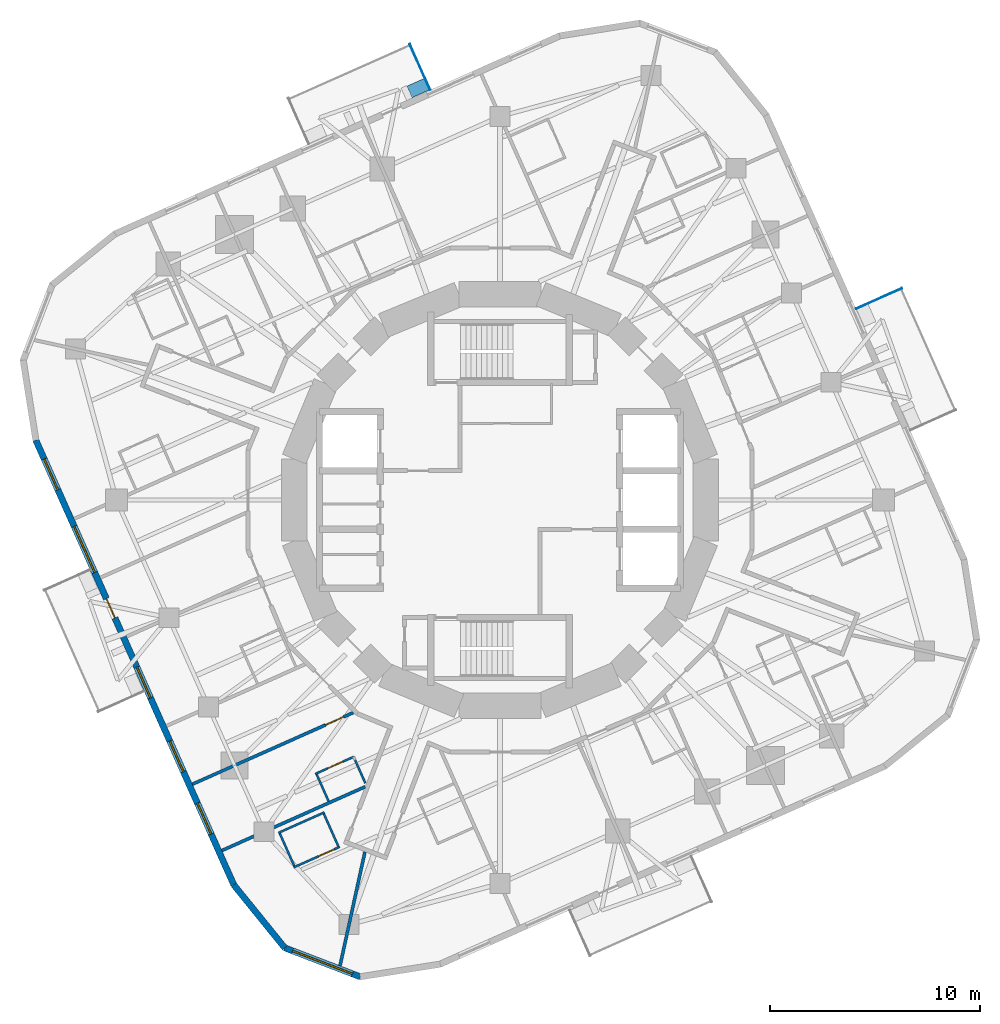
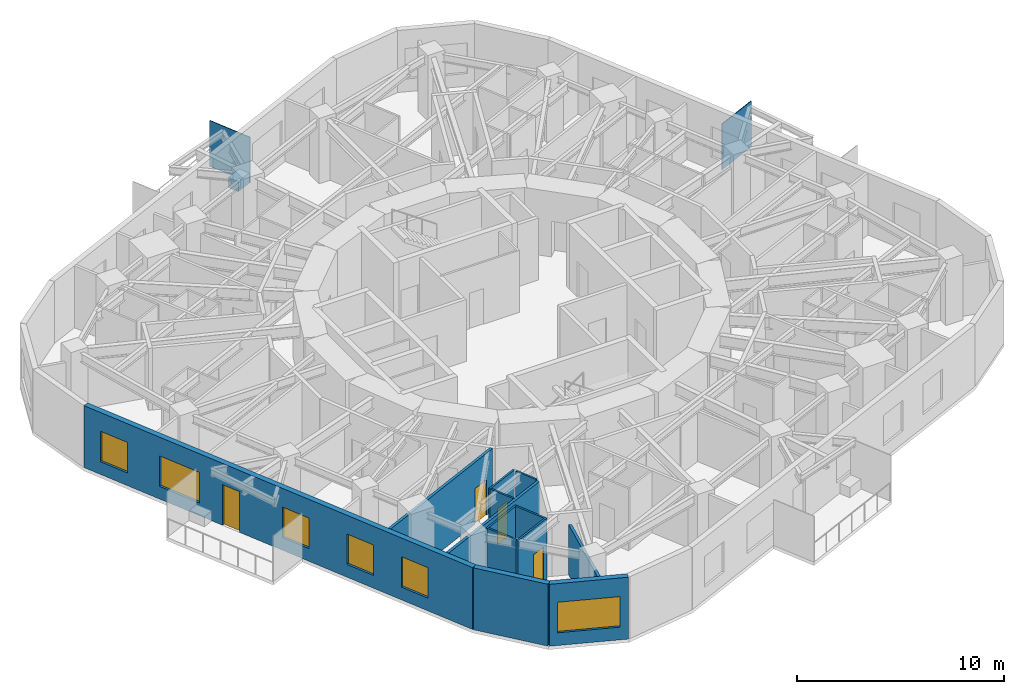
# One storey, part 4 of 12: 13 walls, 6 windows, 4 doors, 3 plates, 10 openings.
"""IFC4 building model written with IfcOpenShell, lengths in metres."""

from ifc_helpers import new_model, si_unit, direction, frame, frame_2d, origin, origin_2d, place, context, subcontext, project, spatial, rectangle, extrude, material, layer, layer_set, type_object, element, fill, save


model = new_model("IFC4")

# Units and contexts
model_context = context("Model", 3, precision=1e-05, world=origin(), true_north=direction((0.0, 1.0)))
body_context = subcontext(model_context, "Body", "Model", "MODEL_VIEW")
ifc_project = project(units=[si_unit("LENGTHUNIT", "METRE"), si_unit("AREAUNIT", "SQUARE_METRE"), si_unit("VOLUMEUNIT", "CUBIC_METRE"), si_unit("PLANEANGLEUNIT", "RADIAN"), si_unit("MASSUNIT", "GRAM", prefix="KILO")], contexts=[model_context])

# Site, building, storey
site_placement = place(None, origin())
site = spatial("IfcSite", under=ifc_project, at=site_placement, CompositionType="ELEMENT")
building_placement = place(site_placement, origin())
building = spatial("IfcBuilding", under=site, at=building_placement, Name="Nakasero Lantern House", CompositionType="ELEMENT")
storey_placement = place(building_placement, frame((0.0, 0.0, 197.85009765625)))
storey = spatial("IfcBuildingStorey", under=building, at=storey_placement, Name="L48", CompositionType="ELEMENT", Elevation=197.85009765625)

# Plates
ifc_material_1 = material(Name="Aluminium 6063-T6", Category="aluminium")
ifc_layer_1 = layer(ifc_material_1, 0.60009765625)
ifc_layer_set_1 = layer_set([ifc_layer_1], Name="Balcony planter 600x900")
plate_type_1 = type_object("IfcPlateType", Name="Balcony planter 600x900", PredefinedType="USERDEFINED", material=ifc_layer_set_1)
plate_placement = place(storey_placement, frame((-3.90283203125, 19.629638671875, -0.000244140625), z_axis=(0.0, 0.0, 1.0), x_axis=(-0.406736643076, 0.913545457643, 0.0)))
element("IfcPlate", 1, at=plate_placement, inside=storey, type_object=plate_type_1, Name="Balcony PLANTER L48 BAL1A", ObjectType="PLANTER", PredefinedType="USERDEFINED", context=body_context, shape_type="SweptSolid", body=[
    extrude(rectangle(XDim=0.60009765625, YDim=0.89990234375, at=origin_2d()), origin(), (0.0, 0.0, 1.0), 0.60009765625),
])
ifc_material_2 = material(Name="Aluminium 6063-T6", Category="aluminium")
ifc_layer_2 = layer(ifc_material_2, 0.0400390625)
ifc_layer_set_2 = layer_set([ifc_layer_2], Name="Balcony screen 2400x2700")
plate_type_2 = type_object("IfcPlateType", Name="Balcony screen 2400x2700", PredefinedType="SHEET", material=ifc_layer_set_2)
for number, where, z_axis, x_axis, name in (
    (2, (18.0576171875, 9.59716796875, 0.0), (0.0, 0.0, 1.0), (0.913545457643, 0.406736643076, 0.0), "Balcony SCREEN L48 BAL0B"),
    (3, (-3.813232421875, 20.6328125, 0.0), (0.0, 0.0, 1.0), (-0.406736643076, 0.913545457643, 0.0), "Balcony SCREEN L48 BAL1A"),
):
    element("IfcPlate", number, at=place(storey_placement, frame(where, z_axis=z_axis, x_axis=x_axis)), inside=storey, type_object=plate_type_2, Name=name, PredefinedType="SHEET", context=body_context, shape_type="SweptSolid", body=[
        extrude(rectangle(XDim=2.39990234375, YDim=0.0400390625, at=origin_2d()), origin(), (0.0, 0.0, 1.0), 2.699951171875),
    ])

# Wall, opening, door
ifc_material_3 = material(Name="Blockwork", Category="masonry")
ifc_layer_3 = layer(ifc_material_3, 0.10009765625)
ifc_layer_set_3 = layer_set([ifc_layer_3], Name="En-suite wall 100")
wall_type_1 = type_object("IfcWallType", Name="En-suite wall 100", PredefinedType="PARTITIONING", material=ifc_layer_set_3)
wall_1_placement = place(storey_placement, frame((-6.974853515625, -12.23974609375, 0.0), z_axis=(0.0, 0.0, 1.0), x_axis=(-0.913549606868, -0.406727323635, 0.0)))
wall_1 = element("IfcWall", 4, at=wall_1_placement, inside=storey, type_object=wall_type_1, Name="En-suite wall L48 ES2-05", PredefinedType="PARTITIONING", context=body_context, shape_type="SweptSolid", body=[
    extrude(rectangle(XDim=2.0, YDim=0.10009765625, at=frame_2d((1.0, 0.0))), origin(), (0.0, 0.0, 1.0), 3.64990234375),
])
opening_1_placement = place(wall_1_placement, frame((0.550048828125, 0.0, 0.0)))
opening_1 = element("IfcOpeningElement", 5, at=opening_1_placement, cuts=wall_1, Name="Opening D02", PredefinedType="OPENING", context=body_context, shape_type="SweptSolid", body=[
    extrude(rectangle(XDim=0.800048828125, YDim=2.10009765625, at=frame_2d((0.39990234375, 1.050048828125))), frame((0.0, 0.070068359375, 0.0), z_axis=(0.0, -1.0, 0.0), x_axis=(1.0, 0.0, 0.0)), (0.0, 0.0, 1.0), 0.14013671875),
])
ifc_material_4 = material(Name="Timber C24", Category="wood")
door_type_1 = type_object("IfcDoorType", Name="En-suite door 800", OperationType="SINGLE_SWING_RIGHT", PredefinedType="DOOR", material=ifc_material_4)
door_1_placement = place(opening_1_placement, origin())
door_1 = element("IfcDoor", 6, at=door_1_placement, inside=storey, type_object=door_type_1, Name="Door L48 DE2-05", OperationType="SINGLE_SWING_LEFT", OverallHeight=2.10009765625, OverallWidth=0.800048828125, PredefinedType="DOOR", context=body_context, shape_type="SweptSolid", body=[
    extrude(rectangle(XDim=0.800048828125, YDim=2.10009765625, at=frame_2d((0.39990234375, 1.050048828125))), frame((0.0, 0.02490234375, 0.0), z_axis=(0.0, -1.0, 0.0), x_axis=(1.0, 0.0, 0.0)), (0.0, 0.0, 1.0), 0.050048828125),
])
fill(opening_1, door_1)

# Wall
wall_2_placement = place(storey_placement, frame((-8.736083984375, -13.07861328125, 0.0), z_axis=(0.0, 0.0, 1.0), x_axis=(0.406801678348, -0.9135164993, 0.0)))
element("IfcWall", 7, at=wall_2_placement, inside=storey, type_object=wall_type_1, Name="En-suite wall L48 EE2-05", PredefinedType="PARTITIONING", context=body_context, shape_type="SweptSolid", body=[
    extrude(rectangle(XDim=1.400146484375, YDim=0.10009765625, at=frame_2d((0.7001953125, 0.0))), origin(), (0.0, 0.0, 1.0), 3.64990234375),
])

# Wall, opening, door
wall_3_placement = place(storey_placement, frame((-7.63720703125, -16.530029296875, 0.0), z_axis=(0.0, 0.0, 1.0), x_axis=(-0.913513461389, -0.406808500233, 0.0)))
wall_3 = element("IfcWall", 8, at=wall_3_placement, inside=storey, type_object=wall_type_1, Name="En-suite wall L48 ES2-06", PredefinedType="PARTITIONING", context=body_context, shape_type="SweptSolid", body=[
    extrude(rectangle(XDim=2.39990234375, YDim=0.10009765625, at=frame_2d((1.199951171875, 0.0))), origin(), (0.0, 0.0, 1.0), 3.64990234375),
])
opening_2_placement = place(wall_3_placement, frame((0.300048828125, 0.0, 0.0)))
opening_2 = element("IfcOpeningElement", 9, at=opening_2_placement, cuts=wall_3, Name="Opening D02", PredefinedType="OPENING", context=body_context, shape_type="SweptSolid", body=[
    extrude(rectangle(XDim=0.800048828125, YDim=2.10009765625, at=frame_2d((0.39990234375, 1.050048828125))), frame((0.0, 0.070068359375, 0.0), z_axis=(0.0, -1.0, 0.0), x_axis=(1.0, 0.0, 0.0)), (0.0, 0.0, 1.0), 0.14013671875),
])
door_2_placement = place(opening_2_placement, origin())
door_2 = element("IfcDoor", 10, at=door_2_placement, inside=storey, type_object=door_type_1, Name="Door L48 DE2-06", OperationType="SINGLE_SWING_LEFT", OverallHeight=2.10009765625, OverallWidth=0.800048828125, PredefinedType="DOOR", context=body_context, shape_type="SweptSolid", body=[
    extrude(rectangle(XDim=0.800048828125, YDim=2.10009765625, at=frame_2d((0.39990234375, 1.050048828125))), frame((0.0, 0.02490234375, 0.0), z_axis=(0.0, -1.0, 0.0), x_axis=(1.0, 0.0, 0.0)), (0.0, 0.0, 1.0), 0.050048828125),
])
fill(opening_2, door_2)

# Walls
wall_4_placement = place(storey_placement, frame((-8.369384765625, -14.8857421875, 0.0), z_axis=(0.0, 0.0, 1.0), x_axis=(-0.913551263516, -0.406723602621, 0.0)))
element("IfcWall", 11, at=wall_4_placement, inside=storey, type_object=wall_type_1, Name="En-suite wall L48 EV2-06", PredefinedType="PARTITIONING", context=body_context, shape_type="SweptSolid", body=[
    extrude(rectangle(XDim=2.39990234375, YDim=0.10009765625, at=frame_2d((1.199951171875, 0.0))), origin(), (0.0, 0.0, 1.0), 3.64990234375),
])
for number, where, z_axis, x_axis, name in (
    (12, (-10.495849609375, -15.88720703125, 0.0), (0.0, 0.0, 1.0), (0.406724697108, -0.913550776237, 0.0), "En-suite wall L48 EE2-06"),
    (13, (-8.39453125, -14.95166015625, 0.0), (0.0, 0.0, 1.0), (0.406724697108, -0.913550776237, 0.0), "En-suite wall L48 EI2-06"),
):
    element("IfcWall", number, at=place(storey_placement, frame(where, z_axis=z_axis, x_axis=x_axis)), inside=storey, type_object=wall_type_1, Name=name, PredefinedType="PARTITIONING", context=body_context, shape_type="SweptSolid", body=[
        extrude(rectangle(XDim=1.699951171875, YDim=0.10009765625, at=frame_2d((0.85009765625, 0.0))), origin(), (0.0, 0.0, 1.0), 3.64990234375),
    ])
wall_5_placement = place(storey_placement, frame((-6.419677734375, -13.48681640625, 0.0), z_axis=(0.0, 0.0, 1.0), x_axis=(-0.406815070933, 0.913510535277, 0.0)))
element("IfcWall", 14, at=wall_5_placement, inside=storey, type_object=wall_type_1, Name="En-suite wall L48 EX002", PredefinedType="PARTITIONING", context=body_context, shape_type="SweptSolid", body=[
    extrude(rectangle(XDim=1.205078125, YDim=0.10009765625, at=frame_2d((0.6025390625, 0.0))), origin(), (0.0, 0.0, 1.0), 3.64990234375),
])

# Wall, openings, door, windows
ifc_material_5 = material(Name="Aluminium rainscreen on blockwork", Category="masonry")
ifc_layer_4 = layer(ifc_material_5, 0.300048828125)
ifc_layer_set_4 = layer_set([ifc_layer_4], Name="Facade wall 300")
wall_type_2 = type_object("IfcWallType", Name="Facade wall 300", PredefinedType="SOLIDWALL", material=ifc_layer_set_4)
wall_6_placement = place(storey_placement, frame((-22.12109375, 2.848876953125, 0.0), z_axis=(0.0, 0.0, 1.0), x_axis=(0.406734951338, -0.913546210851, 0.0)))
wall_6 = element("IfcWall", 15, at=wall_6_placement, inside=storey, type_object=wall_type_2, Name="Facade wall L48 FW2S", PredefinedType="SOLIDWALL", context=body_context, shape_type="SweptSolid", body=[
    extrude(rectangle(XDim=23.199951171875, YDim=0.300048828125, at=frame_2d((11.60009765625, 0.0))), origin(), (0.0, 0.0, 1.0), 3.64990234375),
])
opening_3_placement = place(wall_6_placement, frame((0.982421875, 0.0, 0.75)))
opening_3 = element("IfcOpeningElement", 16, at=opening_3_placement, cuts=wall_6, Name="Opening W01", PredefinedType="OPENING", context=body_context, shape_type="SweptSolid", body=[
    extrude(rectangle(XDim=1.60009765625, YDim=1.800048828125, at=frame_2d((0.800048828125, 0.89990234375))), frame((0.0, 0.169921875, 0.0), z_axis=(0.0, -1.0, 0.0), x_axis=(1.0, 0.0, 0.0)), (0.0, 0.0, 1.0), 0.340087890625),
])
opening_4_placement = place(wall_6_placement, frame((11.83984375, 0.0, 0.75)))
opening_4 = element("IfcOpeningElement", 17, at=opening_4_placement, cuts=wall_6, Name="Opening W01", PredefinedType="OPENING", context=body_context, shape_type="SweptSolid", body=[
    extrude(rectangle(XDim=1.60009765625, YDim=1.800048828125, at=frame_2d((0.800048828125, 0.89990234375))), frame((0.0, 0.169921875, 0.0), z_axis=(0.0, -1.0, 0.0), x_axis=(1.0, 0.0, 0.0)), (0.0, 0.0, 1.0), 0.340087890625),
])
opening_5_placement = place(wall_6_placement, frame((15.69140625, 0.0, 0.75)))
opening_5 = element("IfcOpeningElement", 18, at=opening_5_placement, cuts=wall_6, Name="Opening W01", PredefinedType="OPENING", context=body_context, shape_type="SweptSolid", body=[
    extrude(rectangle(XDim=1.60009765625, YDim=1.800048828125, at=frame_2d((0.800048828125, 0.89990234375))), frame((0.0, 0.169921875, 0.0), z_axis=(0.0, -1.0, 0.0), x_axis=(1.0, 0.0, 0.0)), (0.0, 0.0, 1.0), 0.340087890625),
])
opening_6_placement = place(wall_6_placement, frame((18.940185546875, 0.0, 0.75)))
opening_6 = element("IfcOpeningElement", 19, at=opening_6_placement, cuts=wall_6, Name="Opening W01", PredefinedType="OPENING", context=body_context, shape_type="SweptSolid", body=[
    extrude(rectangle(XDim=1.60009765625, YDim=1.800048828125, at=frame_2d((0.800048828125, 0.89990234375))), frame((0.0, 0.169921875, 0.0), z_axis=(0.0, -1.0, 0.0), x_axis=(1.0, 0.0, 0.0)), (0.0, 0.0, 1.0), 0.340087890625),
])
opening_7_placement = place(wall_6_placement, frame((4.500244140625, 0.0, 0.75)))
opening_7 = element("IfcOpeningElement", 20, at=opening_7_placement, cuts=wall_6, Name="Opening W03", PredefinedType="OPENING", context=body_context, shape_type="SweptSolid", body=[
    extrude(rectangle(XDim=2.39990234375, YDim=1.800048828125, at=frame_2d((1.199951171875, 0.89990234375))), frame((0.0, 0.169921875, 0.0), z_axis=(0.0, -1.0, 0.0), x_axis=(1.0, 0.0, 0.0)), (0.0, 0.0, 1.0), 0.340087890625),
])
opening_8_placement = place(wall_6_placement, frame((8.271484375, 0.0, 0.0)))
opening_8 = element("IfcOpeningElement", 21, at=opening_8_placement, cuts=wall_6, Name="Opening D04", PredefinedType="OPENING", context=body_context, shape_type="SweptSolid", body=[
    extrude(rectangle(XDim=1.0, YDim=2.39990234375, at=frame_2d((0.5, 1.199951171875))), frame((0.0, 0.169921875, 0.0), z_axis=(0.0, -1.0, 0.0), x_axis=(1.0, 0.0, 0.0)), (0.0, 0.0, 1.0), 0.340087890625),
])
ifc_material_6 = material(Name="Aluminium 6063-T6 and glass", Category="aluminium")
door_type_2 = type_object("IfcDoorType", Name="Balcony door 1000x2400", OperationType="SINGLE_SWING_RIGHT", PredefinedType="DOOR", material=ifc_material_6)
door_3_placement = place(opening_8_placement, origin())
door_3 = element("IfcDoor", 22, at=door_3_placement, inside=storey, type_object=door_type_2, Name="Balcony door L48 DB2", OperationType="SINGLE_SWING_RIGHT", OverallHeight=2.39990234375, OverallWidth=1.0, PredefinedType="DOOR", context=body_context, shape_type="SweptSolid", body=[
    extrude(rectangle(XDim=1.0, YDim=2.39990234375, at=frame_2d((0.5, 1.199951171875))), frame((0.0, 0.02490234375, 0.0), z_axis=(0.0, -1.0, 0.0), x_axis=(1.0, 0.0, 0.0)), (0.0, 0.0, 1.0), 0.050048828125),
])
fill(opening_8, door_3)
ifc_material_7 = material(Name="Aluminium 6063-T6 and glass", Category="aluminium")
window_type_1 = type_object("IfcWindowType", Name="Bedroom window 1600x1800", PartitioningType="SINGLE_PANEL", PredefinedType="WINDOW", material=ifc_material_7)
window_1_placement = place(opening_3_placement, origin())
window_1 = element("IfcWindow", 23, at=window_1_placement, inside=storey, type_object=window_type_1, Name="Window L48 WN2-00", OverallHeight=1.800048828125, OverallWidth=1.60009765625, PartitioningType="SINGLE_PANEL", PredefinedType="WINDOW", context=body_context, shape_type="SweptSolid", body=[
    extrude(rectangle(XDim=1.60009765625, YDim=1.800048828125, at=frame_2d((0.800048828125, 0.89990234375))), frame((0.0, 0.030029296875, 0.0), z_axis=(0.0, -1.0, 0.0), x_axis=(1.0, 0.0, 0.0)), (0.0, 0.0, 1.0), 0.06005859375),
])
fill(opening_3, window_1)
window_2_placement = place(opening_4_placement, origin())
window_2 = element("IfcWindow", 24, at=window_2_placement, inside=storey, type_object=window_type_1, Name="Window L48 WN2-03", OverallHeight=1.800048828125, OverallWidth=1.60009765625, PartitioningType="SINGLE_PANEL", PredefinedType="WINDOW", context=body_context, shape_type="SweptSolid", body=[
    extrude(rectangle(XDim=1.60009765625, YDim=1.800048828125, at=frame_2d((0.800048828125, 0.89990234375))), frame((0.0, 0.030029296875, 0.0), z_axis=(0.0, -1.0, 0.0), x_axis=(1.0, 0.0, 0.0)), (0.0, 0.0, 1.0), 0.06005859375),
])
fill(opening_4, window_2)
window_3_placement = place(opening_5_placement, origin())
window_3 = element("IfcWindow", 25, at=window_3_placement, inside=storey, type_object=window_type_1, Name="Window L48 WN2-04", OverallHeight=1.800048828125, OverallWidth=1.60009765625, PartitioningType="SINGLE_PANEL", PredefinedType="WINDOW", context=body_context, shape_type="SweptSolid", body=[
    extrude(rectangle(XDim=1.60009765625, YDim=1.800048828125, at=frame_2d((0.800048828125, 0.89990234375))), frame((0.0, 0.030029296875, 0.0), z_axis=(0.0, -1.0, 0.0), x_axis=(1.0, 0.0, 0.0)), (0.0, 0.0, 1.0), 0.06005859375),
])
fill(opening_5, window_3)
window_4_placement = place(opening_6_placement, origin())
window_4 = element("IfcWindow", 26, at=window_4_placement, inside=storey, type_object=window_type_1, Name="Window L48 WN2-05", OverallHeight=1.800048828125, OverallWidth=1.60009765625, PartitioningType="SINGLE_PANEL", PredefinedType="WINDOW", context=body_context, shape_type="SweptSolid", body=[
    extrude(rectangle(XDim=1.60009765625, YDim=1.800048828125, at=frame_2d((0.800048828125, 0.89990234375))), frame((0.0, 0.030029296875, 0.0), z_axis=(0.0, -1.0, 0.0), x_axis=(1.0, 0.0, 0.0)), (0.0, 0.0, 1.0), 0.06005859375),
])
fill(opening_6, window_4)
ifc_material_8 = material(Name="Aluminium 6063-T6 and glass", Category="aluminium")
window_type_2 = type_object("IfcWindowType", Name="Lounge window 2400x1800", PartitioningType="SINGLE_PANEL", PredefinedType="WINDOW", material=ifc_material_8)
window_5_placement = place(opening_7_placement, origin())
window_5 = element("IfcWindow", 27, at=window_5_placement, inside=storey, type_object=window_type_2, Name="Window L48 WK2", OverallHeight=1.800048828125, OverallWidth=2.39990234375, PartitioningType="SINGLE_PANEL", PredefinedType="WINDOW", context=body_context, shape_type="SweptSolid", body=[
    extrude(rectangle(XDim=2.39990234375, YDim=1.800048828125, at=frame_2d((1.199951171875, 0.89990234375))), frame((0.0, 0.030029296875, 0.0), z_axis=(0.0, -1.0, 0.0), x_axis=(1.0, 0.0, 0.0)), (0.0, 0.0, 1.0), 0.06005859375),
])
fill(opening_7, window_5)

# Wall
wall_7_placement = place(storey_placement, frame((-12.684814453125, -18.345458984375, 0.0), z_axis=(0.0, 0.0, 1.0), x_axis=(0.629285642335, -0.777174099125, 0.0)))
element("IfcWall", 28, at=wall_7_placement, inside=storey, type_object=wall_type_2, Name="Facade wall L48 FW2C1", PredefinedType="SOLIDWALL", context=body_context, shape_type="SweptSolid", body=[
    extrude(rectangle(XDim=3.8564453125, YDim=0.300048828125, at=frame_2d((1.92822265625, 0.0))), origin(), (0.0, 0.0, 1.0), 3.64990234375),
])

# Wall, opening, window
wall_8_placement = place(storey_placement, frame((-10.258056640625, -21.342529296875, 0.0), z_axis=(0.0, 0.0, 1.0), x_axis=(0.933598278948, -0.358321438858, 0.0)))
wall_8 = element("IfcWall", 29, at=wall_8_placement, inside=storey, type_object=wall_type_2, Name="Facade wall L48 FW2C2", PredefinedType="SOLIDWALL", context=body_context, shape_type="SweptSolid", body=[
    extrude(rectangle(XDim=3.8564453125, YDim=0.300048828125, at=frame_2d((1.92822265625, 0.0))), origin(), (0.0, 0.0, 1.0), 3.64990234375),
])
opening_9_placement = place(wall_8_placement, frame((0.39990234375, 0.0, 0.75)))
opening_9 = element("IfcOpeningElement", 30, at=opening_9_placement, cuts=wall_8, Name="Opening W230", PredefinedType="OPENING", context=body_context, shape_type="SweptSolid", body=[
    extrude(rectangle(XDim=3.055908203125, YDim=1.800048828125, at=frame_2d((1.52783203125, 0.89990234375))), frame((0.0, 0.169921875, 0.0), z_axis=(0.0, -1.0, 0.0), x_axis=(1.0, 0.0, 0.0)), (0.0, 0.0, 1.0), 0.340087890625),
])
ifc_material_9 = material(Name="Aluminium 6063-T6 and glass", Category="aluminium")
window_type_3 = type_object("IfcWindowType", Name="Corner window 3056x1800", PartitioningType="SINGLE_PANEL", PredefinedType="WINDOW", material=ifc_material_9)
window_6_placement = place(opening_9_placement, origin())
window_6 = element("IfcWindow", 31, at=window_6_placement, inside=storey, type_object=window_type_3, Name="Window L48 WC2", OverallHeight=1.800048828125, OverallWidth=3.055908203125, PartitioningType="SINGLE_PANEL", PredefinedType="WINDOW", context=body_context, shape_type="SweptSolid", body=[
    extrude(rectangle(XDim=3.055908203125, YDim=1.800048828125, at=frame_2d((1.52783203125, 0.89990234375))), frame((0.0, 0.030029296875, 0.0), z_axis=(0.0, -1.0, 0.0), x_axis=(1.0, 0.0, 0.0)), (0.0, 0.0, 1.0), 0.06005859375),
])
fill(opening_9, window_6)

# Wall, opening, door
ifc_material_10 = material(Name="Blockwork", Category="masonry")
ifc_layer_5 = layer(ifc_material_10, 0.14990234375)
ifc_layer_set_5 = layer_set([ifc_layer_5], Name="Party wall 150")
wall_type_3 = type_object("IfcWallType", Name="Party wall 150", PredefinedType="PARTITIONING", material=ifc_layer_set_5)
wall_9_placement = place(storey_placement, frame((-6.99267578125, -10.130615234375, 0.0), z_axis=(0.0, 0.0, 1.0), x_axis=(-0.913547411288, -0.406732255089, 0.0)))
wall_9 = element("IfcWall", 32, at=wall_9_placement, inside=storey, type_object=wall_type_3, Name="Party wall L48 PW2-05", PredefinedType="PARTITIONING", context=body_context, shape_type="SweptSolid", body=[
    extrude(rectangle(XDim=8.3916015625, YDim=0.14990234375, at=frame_2d((4.19580078125, 0.0))), origin(), (0.0, 0.0, 1.0), 3.64990234375),
])
opening_10_placement = place(wall_9_placement, frame((0.5, 0.0, 0.0)))
opening_10 = element("IfcOpeningElement", 33, at=opening_10_placement, cuts=wall_9, Name="Opening D01", PredefinedType="OPENING", context=body_context, shape_type="SweptSolid", body=[
    extrude(rectangle(XDim=0.949951171875, YDim=2.10009765625, at=frame_2d((0.47509765625, 1.050048828125))), frame((0.0, 0.094970703125, 0.0), z_axis=(0.0, -1.0, 0.0), x_axis=(1.0, 0.0, 0.0)), (0.0, 0.0, 1.0), 0.18994140625),
])
ifc_material_11 = material(Name="Timber C24", Category="wood")
door_type_3 = type_object("IfcDoorType", Name="Bedroom door FD30S 950", OperationType="SINGLE_SWING_LEFT", PredefinedType="DOOR", material=ifc_material_11)
door_4_placement = place(opening_10_placement, origin())
door_4 = element("IfcDoor", 34, at=door_4_placement, inside=storey, type_object=door_type_3, Name="Door L48 DS2-05", OperationType="SINGLE_SWING_LEFT", OverallHeight=2.10009765625, OverallWidth=0.949951171875, PredefinedType="DOOR", context=body_context, shape_type="SweptSolid", body=[
    extrude(rectangle(XDim=0.949951171875, YDim=2.10009765625, at=frame_2d((0.47509765625, 1.050048828125))), frame((0.0, 0.02490234375, 0.0), z_axis=(0.0, -1.0, 0.0), x_axis=(1.0, 0.0, 0.0)), (0.0, 0.0, 1.0), 0.050048828125),
])
fill(opening_10, door_4)

# Walls
wall_10_placement = place(storey_placement, frame((-6.423095703125, -13.663330078125, 0.0), z_axis=(0.0, 0.0, 1.0), x_axis=(-0.913546019887, -0.406735380252, 0.0)))
element("IfcWall", 35, at=wall_10_placement, inside=storey, type_object=wall_type_3, Name="Party wall L48 PW2-06", PredefinedType="PARTITIONING", context=body_context, shape_type="SweptSolid", body=[
    extrude(rectangle(XDim=7.474853515625, YDim=0.14990234375, at=frame_2d((3.7373046875, 0.0))), origin(), (0.0, 0.0, 1.0), 3.64990234375),
])
wall_11_placement = place(storey_placement, frame((-6.435546875, -16.76513671875, 0.0), z_axis=(0.0, 0.0, 1.0), x_axis=(-0.213734913997, -0.976891696422, 0.0)))
element("IfcWall", 36, at=wall_11_placement, inside=storey, type_object=wall_type_3, Name="Party wall L48 PW3-00", PredefinedType="PARTITIONING", context=body_context, shape_type="SweptSolid", body=[
    extrude(rectangle(XDim=5.55126953125, YDim=0.14990234375, at=frame_2d((2.775634765625, 0.0))), origin(), (0.0, 0.0, 1.0), 2.96630859375),
])

save(model, "model.ifc")
